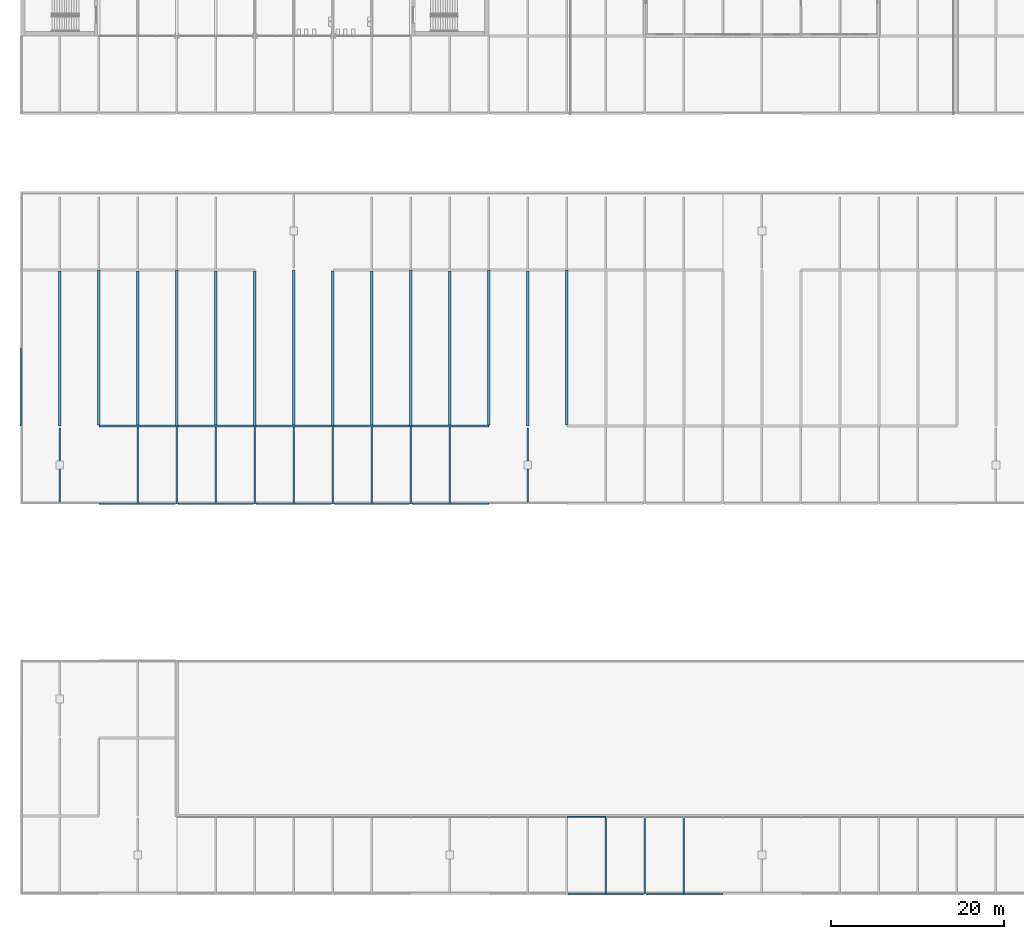
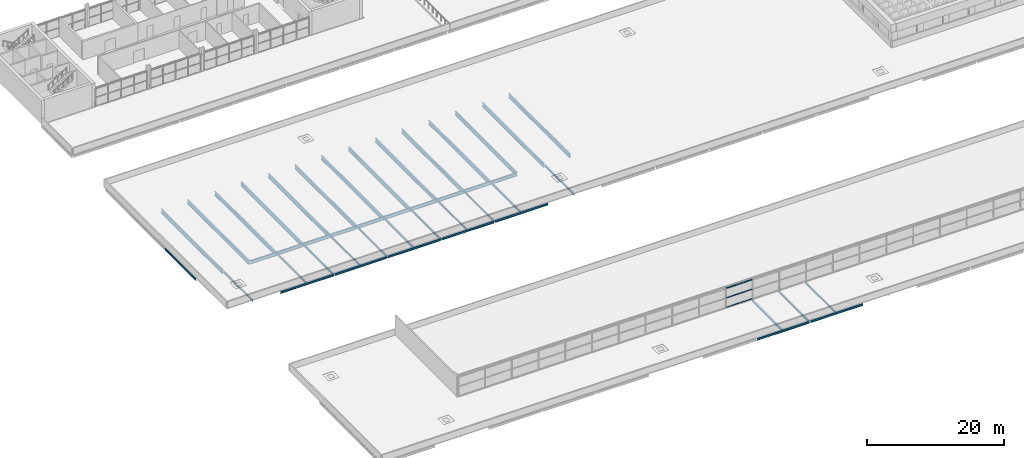
# One storey, part 8 of 50: 41 beams, 3 members, 1 element without a shape of its own.
"""IFC4 building model written with IfcOpenShell, lengths in metres."""

from ifc_helpers import new_model, si_unit, direction, frame, origin, origin_2d, place, context, subcontext, project, spatial, rectangle, i_section, extrude, material, layer, layer_set, material_profile, profile_set, type_object, element, aggregate, save


model = new_model("IFC4")

# Units and contexts
model_context = context("Model", 3, precision=1e-05, world=origin(), true_north=direction((0.0, 1.0)))
body_context = subcontext(model_context, "Body", "Model", "MODEL_VIEW")
ifc_project = project(units=[si_unit("LENGTHUNIT", "METRE"), si_unit("AREAUNIT", "SQUARE_METRE"), si_unit("VOLUMEUNIT", "CUBIC_METRE"), si_unit("PLANEANGLEUNIT", "RADIAN"), si_unit("MASSUNIT", "GRAM", prefix="KILO")], contexts=[model_context])

# Site, building, storey
site_placement = place(None, origin())
site = spatial("IfcSite", under=ifc_project, at=site_placement, CompositionType="ELEMENT")
building_placement = place(site_placement, origin())
building = spatial("IfcBuilding", under=site, at=building_placement, Name="Corbel Yard City Hall", CompositionType="ELEMENT")
storey_placement = place(building_placement, frame((0.0, 0.0, 15.0)))
storey = spatial("IfcBuildingStorey", under=building, at=storey_placement, Name="L03", CompositionType="ELEMENT", Elevation=15.0)

# Beams
ifc_material_1 = material(Name="Steel Grade 300 (300 MPa yield)", Category="steel")
ifc_material_profile_1 = material_profile(ifc_material_1, i_section(OverallWidth=0.1708984375, OverallDepth=0.35205078125, WebThickness=0.0068359375, FlangeThickness=0.009765625, at=origin_2d()), Name="360UB44.7")
ifc_profile_set_1 = profile_set([ifc_material_profile_1], Name="Steel Grade 300 (300 MPa yield)")
beam_type_1 = type_object("IfcBeamType", Name="Beam 360UB44.7", PredefinedType="BEAM", material=ifc_profile_set_1)
for number, where, z_axis, x_axis, name in (
    (1, (18.0, 45.00439453125, -0.325927734375), (0.0, 1.0, 0.0), (-1.0, 0.0, 0.0), "Beam 360UB44.7 SB13 L03roof"),
    (2, (27.0, 45.00439453125, -0.325927734375), (0.0, 1.0, 0.0), (-1.0, 0.0, 0.0), "Beam 360UB44.7 SB13 L03roof"),
    (3, (36.0, 45.00439453125, -0.325927734375), (0.0, 1.0, 0.0), (-1.0, 0.0, 0.0), "Beam 360UB44.7 SB13 L03roof"),
    (4, (45.0, 45.00439453125, -0.325927734375), (0.0, 1.0, 0.0), (-1.0, 0.0, 0.0), "Beam 360UB44.7 SB13 L03roof"),
):
    element("IfcBeam", number, at=place(storey_placement, frame(where, z_axis=z_axis, x_axis=x_axis)), inside=storey, type_object=beam_type_1, Name=name, PredefinedType="BEAM", context=body_context, shape_type="SweptSolid", body=[
        extrude(i_section(OverallWidth=0.1708984375, OverallDepth=0.35205078125, WebThickness=0.0068359375, FlangeThickness=0.009765625, at=origin_2d()), origin(), (0.0, 0.0, 1.0), 8.990234375),
    ])
beam_1_placement = place(storey_placement, frame((72.0, 0.00439453125, -0.325927734375), z_axis=(0.0, 1.0, 0.0), x_axis=(-1.0, 0.0, 0.0)))
element("IfcBeam", 5, at=beam_1_placement, inside=storey, type_object=beam_type_1, Name="Beam 360UB44.7 SB13 L03roof", PredefinedType="BEAM", context=body_context, shape_type="SweptSolid", body=[
    extrude(i_section(OverallWidth=0.1708984375, OverallDepth=0.35205078125, WebThickness=0.0068359375, FlangeThickness=0.009765625, at=origin_2d()), origin(), (0.0, 0.0, 1.0), 8.99072265625),
])
ifc_material_profile_2 = material_profile(ifc_material_1, i_section(OverallWidth=0.172119140625, OverallDepth=0.35888671875, WebThickness=0.008056640625, FlangeThickness=0.012939453125, at=origin_2d()), Name="360UB56.7")
ifc_profile_set_2 = profile_set([ifc_material_profile_2], Name="Steel Grade 300 (300 MPa yield)")
beam_type_2 = type_object("IfcBeamType", Name="Edge beam 360UB56.7", PredefinedType="BEAM", material=ifc_profile_set_2)
beam_2_placement = place(storey_placement, frame((63.126953125, 0.0, -0.32958984375), z_axis=(1.0, 0.0, 0.0), x_axis=(0.0, 1.0, 0.0)))
element("IfcBeam", 6, at=beam_2_placement, inside=storey, type_object=beam_type_2, Name="Edge beam 360UB56.7 EB4 L03roof", PredefinedType="BEAM", context=body_context, shape_type="SweptSolid", body=[
    extrude(i_section(OverallWidth=0.172119140625, OverallDepth=0.35888671875, WebThickness=0.008056640625, FlangeThickness=0.012939453125, at=origin_2d()), origin(), (0.0, 0.0, 1.0), 8.74609375),
])
for number, where, z_axis, x_axis, name in (
    (7, (72.126953125, 0.0, -0.32958984375), (1.0, 0.0, 0.0), (0.0, 1.0, 0.0), "Edge beam 360UB56.7 EB4 L03roof"),
    (8, (9.0, 45.0, -0.32958984375), (1.0, 0.0, 0.0), (0.0, 1.0, 0.0), "Edge beam 360UB56.7 EB4 L03roof"),
):
    element("IfcBeam", number, at=place(storey_placement, frame(where, z_axis=z_axis, x_axis=x_axis)), inside=storey, type_object=beam_type_2, Name=name, PredefinedType="BEAM", context=body_context, shape_type="SweptSolid", body=[
        extrude(i_section(OverallWidth=0.172119140625, OverallDepth=0.35888671875, WebThickness=0.008056640625, FlangeThickness=0.012939453125, at=origin_2d()), origin(), (0.0, 0.0, 1.0), 8.873046875),
    ])
for number, where, z_axis, x_axis, name in (
    (9, (18.126953125, 45.0, -0.32958984375), (1.0, 0.0, 0.0), (0.0, 1.0, 0.0), "Edge beam 360UB56.7 EB4 L03roof"),
    (10, (27.126953125, 45.0, -0.32958984375), (1.0, 0.0, 0.0), (0.0, 1.0, 0.0), "Edge beam 360UB56.7 EB4 L03roof"),
    (11, (36.126953125, 45.0, -0.32958984375), (1.0, 0.0, 0.0), (0.0, 1.0, 0.0), "Edge beam 360UB56.7 EB4 L03roof"),
):
    element("IfcBeam", number, at=place(storey_placement, frame(where, z_axis=z_axis, x_axis=x_axis)), inside=storey, type_object=beam_type_2, Name=name, PredefinedType="BEAM", context=body_context, shape_type="SweptSolid", body=[
        extrude(i_section(OverallWidth=0.172119140625, OverallDepth=0.35888671875, WebThickness=0.008056640625, FlangeThickness=0.012939453125, at=origin_2d()), origin(), (0.0, 0.0, 1.0), 8.74609375),
    ])
beam_3_placement = place(storey_placement, frame((45.126953125, 45.0, -0.32958984375), z_axis=(1.0, 0.0, 0.0), x_axis=(0.0, 1.0, 0.0)))
element("IfcBeam", 12, at=beam_3_placement, inside=storey, type_object=beam_type_2, Name="Edge beam 360UB56.7 EB4 L03roof", PredefinedType="BEAM", context=body_context, shape_type="SweptSolid", body=[
    extrude(i_section(OverallWidth=0.172119140625, OverallDepth=0.35888671875, WebThickness=0.008056640625, FlangeThickness=0.012939453125, at=origin_2d()), origin(), (0.0, 0.0, 1.0), 8.873046875),
])
beam_4_placement = place(storey_placement, frame((0.0, 54.0, -0.32958984375), z_axis=(0.0, 1.0, 0.0), x_axis=(-1.0, 0.0, 0.0)))
element("IfcBeam", 13, at=beam_4_placement, inside=storey, type_object=beam_type_2, Name="Edge beam 360UB56.7 EB4 L03roof", PredefinedType="BEAM", context=body_context, shape_type="SweptSolid", body=[
    extrude(i_section(OverallWidth=0.172119140625, OverallDepth=0.35888671875, WebThickness=0.008056640625, FlangeThickness=0.012939453125, at=origin_2d()), origin(), (0.0, 0.0, 1.0), 8.99560546875),
])
ifc_material_profile_3 = material_profile(ifc_material_1, i_section(OverallWidth=0.22900390625, OverallDepth=0.612060546875, WebThickness=0.011962890625, FlangeThickness=0.01953125, at=origin_2d()), Name="610UB125")
ifc_profile_set_3 = profile_set([ifc_material_profile_3], Name="Steel Grade 300 (300 MPa yield)")
beam_type_3 = type_object("IfcBeamType", Name="Girder 610UB125", PredefinedType="BEAM", material=ifc_profile_set_3)
beam_5_placement = place(storey_placement, frame((9.0, 54.0, -0.4560546875), z_axis=(1.0, 0.0, 0.0), x_axis=(0.0, 1.0, 0.0)))
element("IfcBeam", 14, at=beam_5_placement, inside=storey, type_object=beam_type_3, Name="Girder 610UB125 GB1 L03roof", PredefinedType="BEAM", context=body_context, shape_type="SweptSolid", body=[
    extrude(i_section(OverallWidth=0.22900390625, OverallDepth=0.612060546875, WebThickness=0.011962890625, FlangeThickness=0.01953125, at=origin_2d()), origin(), (0.0, 0.0, 1.0), 8.8701171875),
])
for number, where, z_axis, x_axis, name in (
    (15, (18.1298828125, 54.0, -0.4560546875), (1.0, 0.0, 0.0), (0.0, 1.0, 0.0), "Girder 610UB125 GB1 L03roof"),
    (16, (27.1298828125, 54.0, -0.4560546875), (1.0, 0.0, 0.0), (0.0, 1.0, 0.0), "Girder 610UB125 GB1 L03roof"),
    (17, (36.1298828125, 54.0, -0.4560546875), (1.0, 0.0, 0.0), (0.0, 1.0, 0.0), "Girder 610UB125 GB1 L03roof"),
):
    element("IfcBeam", number, at=place(storey_placement, frame(where, z_axis=z_axis, x_axis=x_axis)), inside=storey, type_object=beam_type_3, Name=name, PredefinedType="BEAM", context=body_context, shape_type="SweptSolid", body=[
        extrude(i_section(OverallWidth=0.22900390625, OverallDepth=0.612060546875, WebThickness=0.011962890625, FlangeThickness=0.01953125, at=origin_2d()), origin(), (0.0, 0.0, 1.0), 8.740234375),
    ])
beam_6_placement = place(storey_placement, frame((45.1298828125, 54.0, -0.4560546875), z_axis=(1.0, 0.0, 0.0), x_axis=(0.0, 1.0, 0.0)))
element("IfcBeam", 18, at=beam_6_placement, inside=storey, type_object=beam_type_3, Name="Girder 610UB125 GB1 L03roof", PredefinedType="BEAM", context=body_context, shape_type="SweptSolid", body=[
    extrude(i_section(OverallWidth=0.22900390625, OverallDepth=0.612060546875, WebThickness=0.011962890625, FlangeThickness=0.01953125, at=origin_2d()), origin(), (0.0, 0.0, 1.0), 8.8701171875),
])
ifc_material_2 = material(Name="Steel Grade 350", Category="steel")
ifc_material_profile_4 = material_profile(ifc_material_2, i_section(OverallWidth=0.25, OverallDepth=0.699951171875, WebThickness=0.010009765625, FlangeThickness=0.02001953125, at=origin_2d()), Name="700WB130")
ifc_profile_set_4 = profile_set([ifc_material_profile_4], Name="Steel Grade 350")
beam_type_4 = type_object("IfcBeamType", Name="Long-span beam 700WB130", PredefinedType="BEAM", material=ifc_profile_set_4)
beam_7_placement = place(storey_placement, frame((9.0, 54.114501953125, -0.5), z_axis=(0.0, 1.0, 0.0), x_axis=(-1.0, 0.0, 0.0)))
element("IfcBeam", 19, at=beam_7_placement, inside=storey, type_object=beam_type_4, Name="Long-span beam 700WB130 SB18 L03roof", PredefinedType="BEAM", context=body_context, shape_type="SweptSolid", body=[
    extrude(i_section(OverallWidth=0.25, OverallDepth=0.699951171875, WebThickness=0.010009765625, FlangeThickness=0.02001953125, at=origin_2d()), origin(), (0.0, 0.0, 1.0), 17.880126953125),
])
beam_8_placement = place(storey_placement, frame((18.0, 54.00537109375, -0.5), z_axis=(0.0, 1.0, 0.0), x_axis=(-1.0, 0.0, 0.0)))
element("IfcBeam", 20, at=beam_8_placement, inside=storey, type_object=beam_type_4, Name="Long-span beam 700WB130 SB18 L03roof", PredefinedType="BEAM", context=body_context, shape_type="SweptSolid", body=[
    extrude(i_section(OverallWidth=0.25, OverallDepth=0.699951171875, WebThickness=0.010009765625, FlangeThickness=0.02001953125, at=origin_2d()), origin(), (0.0, 0.0, 1.0), 17.9892578125),
])
for number, where, z_axis, x_axis, name in (
    (21, (27.0, 54.00537109375, -0.5), (0.0, 1.0, 0.0), (-1.0, 0.0, 0.0), "Long-span beam 700WB130 SB18 L03roof"),
    (22, (36.0, 54.00537109375, -0.5), (0.0, 1.0, 0.0), (-1.0, 0.0, 0.0), "Long-span beam 700WB130 SB18 L03roof"),
):
    element("IfcBeam", number, at=place(storey_placement, frame(where, z_axis=z_axis, x_axis=x_axis)), inside=storey, type_object=beam_type_4, Name=name, PredefinedType="BEAM", context=body_context, shape_type="SweptSolid", body=[
        extrude(i_section(OverallWidth=0.25, OverallDepth=0.699951171875, WebThickness=0.010009765625, FlangeThickness=0.02001953125, at=origin_2d()), origin(), (0.0, 0.0, 1.0), 17.880126953125),
    ])
beam_9_placement = place(storey_placement, frame((45.0, 54.00537109375, -0.5), z_axis=(0.0, 1.0, 0.0), x_axis=(-1.0, 0.0, 0.0)))
element("IfcBeam", 23, at=beam_9_placement, inside=storey, type_object=beam_type_4, Name="Long-span beam 700WB130 SB18 L03roof", PredefinedType="BEAM", context=body_context, shape_type="SweptSolid", body=[
    extrude(i_section(OverallWidth=0.25, OverallDepth=0.699951171875, WebThickness=0.010009765625, FlangeThickness=0.02001953125, at=origin_2d()), origin(), (0.0, 0.0, 1.0), 17.9892578125),
])
for number, where, z_axis, x_axis, name in (
    (24, (54.0, 54.114501953125, -0.5), (0.0, 1.0, 0.0), (-1.0, 0.0, 0.0), "Long-span beam 700WB130 SB18 L03roof"),
    (25, (63.0, 54.114501953125, -0.5), (0.0, 1.0, 0.0), (-1.0, 0.0, 0.0), "Long-span beam 700WB130 SB18 L03roof"),
):
    element("IfcBeam", number, at=place(storey_placement, frame(where, z_axis=z_axis, x_axis=x_axis)), inside=storey, type_object=beam_type_4, Name=name, PredefinedType="BEAM", context=body_context, shape_type="SweptSolid", body=[
        extrude(i_section(OverallWidth=0.25, OverallDepth=0.699951171875, WebThickness=0.010009765625, FlangeThickness=0.02001953125, at=origin_2d()), origin(), (0.0, 0.0, 1.0), 17.880126953125),
    ])
ifc_material_profile_5 = material_profile(ifc_material_2, i_section(OverallWidth=0.25, OverallDepth=0.699951171875, WebThickness=0.010009765625, FlangeThickness=0.02001953125, at=origin_2d()), Name="700WB130")
ifc_profile_set_5 = profile_set([ifc_material_profile_5], Name="Steel Grade 350")
beam_type_5 = type_object("IfcBeamType", Name="Long-span secondary beam 700WB130", PredefinedType="JOIST", material=ifc_profile_set_5)
beam_10_placement = place(storey_placement, frame((4.5, 54.0, -0.5), z_axis=(0.0, 1.0, 0.0), x_axis=(-1.0, 0.0, 0.0)))
element("IfcBeam", 26, at=beam_10_placement, inside=storey, type_object=beam_type_5, Name="Long-span secondary beam 700WB130 SB16 L03roof", PredefinedType="JOIST", context=body_context, shape_type="SweptSolid", body=[
    extrude(i_section(OverallWidth=0.25, OverallDepth=0.699951171875, WebThickness=0.010009765625, FlangeThickness=0.02001953125, at=origin_2d()), origin(), (0.0, 0.0, 1.0), 17.885498046875),
])
for number, where, z_axis, x_axis, name in (
    (27, (13.5, 54.114501953125, -0.5), (0.0, 1.0, 0.0), (-1.0, 0.0, 0.0), "Long-span secondary beam 700WB130 SB16 L03roof"),
    (28, (22.5, 54.114501953125, -0.5), (0.0, 1.0, 0.0), (-1.0, 0.0, 0.0), "Long-span secondary beam 700WB130 SB16 L03roof"),
):
    element("IfcBeam", number, at=place(storey_placement, frame(where, z_axis=z_axis, x_axis=x_axis)), inside=storey, type_object=beam_type_5, Name=name, PredefinedType="JOIST", context=body_context, shape_type="SweptSolid", body=[
        extrude(i_section(OverallWidth=0.25, OverallDepth=0.699951171875, WebThickness=0.010009765625, FlangeThickness=0.02001953125, at=origin_2d()), origin(), (0.0, 0.0, 1.0), 17.77099609375),
    ])
beam_11_placement = place(storey_placement, frame((31.5, 54.114501953125, -0.5), z_axis=(0.0, 1.0, 0.0), x_axis=(-1.0, 0.0, 0.0)))
element("IfcBeam", 29, at=beam_11_placement, inside=storey, type_object=beam_type_5, Name="Long-span secondary beam 700WB130 SB16 L03roof", PredefinedType="JOIST", context=body_context, shape_type="SweptSolid", body=[
    extrude(i_section(OverallWidth=0.25, OverallDepth=0.699951171875, WebThickness=0.010009765625, FlangeThickness=0.02001953125, at=origin_2d()), origin(), (0.0, 0.0, 1.0), 17.885498046875),
])
for number, where, z_axis, x_axis, name in (
    (30, (40.5, 54.114501953125, -0.5), (0.0, 1.0, 0.0), (-1.0, 0.0, 0.0), "Long-span secondary beam 700WB130 SB16 L03roof"),
    (31, (49.5, 54.114501953125, -0.5), (0.0, 1.0, 0.0), (-1.0, 0.0, 0.0), "Long-span secondary beam 700WB130 SB16 L03roof"),
):
    element("IfcBeam", number, at=place(storey_placement, frame(where, z_axis=z_axis, x_axis=x_axis)), inside=storey, type_object=beam_type_5, Name=name, PredefinedType="JOIST", context=body_context, shape_type="SweptSolid", body=[
        extrude(i_section(OverallWidth=0.25, OverallDepth=0.699951171875, WebThickness=0.010009765625, FlangeThickness=0.02001953125, at=origin_2d()), origin(), (0.0, 0.0, 1.0), 17.77099609375),
    ])
beam_12_placement = place(storey_placement, frame((58.5, 54.0, -0.5), z_axis=(0.0, 1.0, 0.0), x_axis=(-1.0, 0.0, 0.0)))
element("IfcBeam", 32, at=beam_12_placement, inside=storey, type_object=beam_type_5, Name="Long-span secondary beam 700WB130 SB16 L03roof", PredefinedType="JOIST", context=body_context, shape_type="SweptSolid", body=[
    extrude(i_section(OverallWidth=0.25, OverallDepth=0.699951171875, WebThickness=0.010009765625, FlangeThickness=0.02001953125, at=origin_2d()), origin(), (0.0, 0.0, 1.0), 17.885498046875),
])
ifc_material_profile_6 = material_profile(ifc_material_1, i_section(OverallWidth=0.1708984375, OverallDepth=0.35205078125, WebThickness=0.0068359375, FlangeThickness=0.009765625, at=origin_2d()), Name="360UB44.7")
ifc_profile_set_6 = profile_set([ifc_material_profile_6], Name="Steel Grade 300 (300 MPa yield)")
beam_type_6 = type_object("IfcBeamType", Name="Secondary beam 360UB44.7", PredefinedType="JOIST", material=ifc_profile_set_6)
for number, where, z_axis, x_axis, name in (
    (33, (13.5, 45.0859375, -0.325927734375), (0.0, 1.0, 0.0), (-1.0, 0.0, 0.0), "Secondary beam 360UB44.7 SB11 L03roof"),
    (34, (22.5, 45.0859375, -0.325927734375), (0.0, 1.0, 0.0), (-1.0, 0.0, 0.0), "Secondary beam 360UB44.7 SB11 L03roof"),
    (35, (31.5, 45.0859375, -0.325927734375), (0.0, 1.0, 0.0), (-1.0, 0.0, 0.0), "Secondary beam 360UB44.7 SB11 L03roof"),
    (36, (40.5, 45.0859375, -0.325927734375), (0.0, 1.0, 0.0), (-1.0, 0.0, 0.0), "Secondary beam 360UB44.7 SB11 L03roof"),
    (37, (49.5, 45.0859375, -0.325927734375), (0.0, 1.0, 0.0), (-1.0, 0.0, 0.0), "Secondary beam 360UB44.7 SB11 L03roof"),
):
    element("IfcBeam", number, at=place(storey_placement, frame(where, z_axis=z_axis, x_axis=x_axis)), inside=storey, type_object=beam_type_6, Name=name, PredefinedType="JOIST", context=body_context, shape_type="SweptSolid", body=[
        extrude(i_section(OverallWidth=0.1708984375, OverallDepth=0.35205078125, WebThickness=0.0068359375, FlangeThickness=0.009765625, at=origin_2d()), origin(), (0.0, 0.0, 1.0), 8.799560546875),
    ])
for number, where, z_axis, x_axis, name in (
    (38, (67.5, 0.0859375, -0.325927734375), (0.0, 1.0, 0.0), (-1.0, 0.0, 0.0), "Secondary beam 360UB44.7 SB11 L03roof"),
    (39, (76.5, 0.0859375, -0.325927734375), (0.0, 1.0, 0.0), (-1.0, 0.0, 0.0), "Secondary beam 360UB44.7 SB11 L03roof"),
):
    element("IfcBeam", number, at=place(storey_placement, frame(where, z_axis=z_axis, x_axis=x_axis)), inside=storey, type_object=beam_type_6, Name=name, PredefinedType="JOIST", context=body_context, shape_type="SweptSolid", body=[
        extrude(i_section(OverallWidth=0.1708984375, OverallDepth=0.35205078125, WebThickness=0.0068359375, FlangeThickness=0.009765625, at=origin_2d()), origin(), (0.0, 0.0, 1.0), 8.828125),
    ])
for number, where, z_axis, x_axis, name in (
    (40, (4.5, 45.25, -0.325927734375), (0.0, 1.0, 0.0), (-1.0, 0.0, 0.0), "Core roof beam 360UB44.7 SB11 PC-M1"),
    (41, (58.5, 45.25, -0.325927734375), (0.0, 1.0, 0.0), (-1.0, 0.0, 0.0), "Core roof beam 360UB44.7 SB11 PC-M2"),
):
    element("IfcBeam", number, at=place(storey_placement, frame(where, z_axis=z_axis, x_axis=x_axis)), inside=storey, type_object=beam_type_6, Name=name, PredefinedType="JOIST", context=body_context, shape_type="SweptSolid", body=[
        extrude(i_section(OverallWidth=0.1708984375, OverallDepth=0.35205078125, WebThickness=0.0068359375, FlangeThickness=0.009765625, at=origin_2d()), origin(), (0.0, 0.0, 1.0), 8.5),
    ])

# Curtain wall, members
ifc_material_3 = material(Name="Aluminium extrusion", Category="aluminium")
ifc_layer = layer(ifc_material_3, 0.219970703125)
ifc_layer_set = layer_set([ifc_layer], Name="Aluminium extrusion")
curtain_wall_type = type_object("IfcCurtainWallType", Name="CW5", PredefinedType="USERDEFINED", material=ifc_layer_set)
curtain_wall_placement = place(storey_placement, origin())
curtain_wall = element("IfcCurtainWall", 42, at=curtain_wall_placement, inside=storey, type_object=curtain_wall_type, Name="Hall south clerestory curtain wall", ObjectType="CURTAIN WALL", PredefinedType="USERDEFINED")
ifc_material_profile_7 = material_profile(ifc_material_3, rectangle(XDim=0.179931640625, YDim=0.06494140625, at=origin_2d()), Name="180x65")
ifc_profile_set_7 = profile_set([ifc_material_profile_7], Name="Aluminium extrusion")
member_type = type_object("IfcMemberType", Name="TR5", PredefinedType="USERDEFINED", material=ifc_profile_set_7)
member_1_placement = place(storey_placement, frame((63.06494140625, 8.889892578125, 0.032470703125), z_axis=(1.0, 0.0, 0.0), x_axis=(0.0, 1.0, 0.0)))
member_1 = element("IfcMember", 43, at=member_1_placement, type_object=member_type, Name="CW5 transom 1.1", ObjectType="TRANSOM", PredefinedType="USERDEFINED", context=body_context, shape_type="SweptSolid", body=[
    extrude(rectangle(XDim=0.179931640625, YDim=0.06494140625, at=origin_2d()), origin(), (0.0, 0.0, 1.0), 4.402587890625),
])
member_2_placement = place(storey_placement, frame((63.06494140625, 8.889892578125, 1.72509765625), z_axis=(1.0, 0.0, 0.0), x_axis=(0.0, 1.0, 0.0)))
member_2 = element("IfcMember", 44, at=member_2_placement, type_object=member_type, Name="CW5 transom 1.2", ObjectType="TRANSOM", PredefinedType="USERDEFINED", context=body_context, shape_type="SweptSolid", body=[
    extrude(rectangle(XDim=0.179931640625, YDim=0.06494140625, at=origin_2d()), origin(), (0.0, 0.0, 1.0), 4.402587890625),
])
member_3_placement = place(storey_placement, frame((63.06494140625, 8.889892578125, 3.41748046875), z_axis=(1.0, 0.0, 0.0), x_axis=(0.0, 1.0, 0.0)))
member_3 = element("IfcMember", 45, at=member_3_placement, type_object=member_type, Name="CW5 transom 1.3", ObjectType="TRANSOM", PredefinedType="USERDEFINED", context=body_context, shape_type="SweptSolid", body=[
    extrude(rectangle(XDim=0.179931640625, YDim=0.06494140625, at=origin_2d()), origin(), (0.0, 0.0, 1.0), 4.402587890625),
])
aggregate(curtain_wall, [member_1, member_2, member_3])

save(model, "model.ifc")
